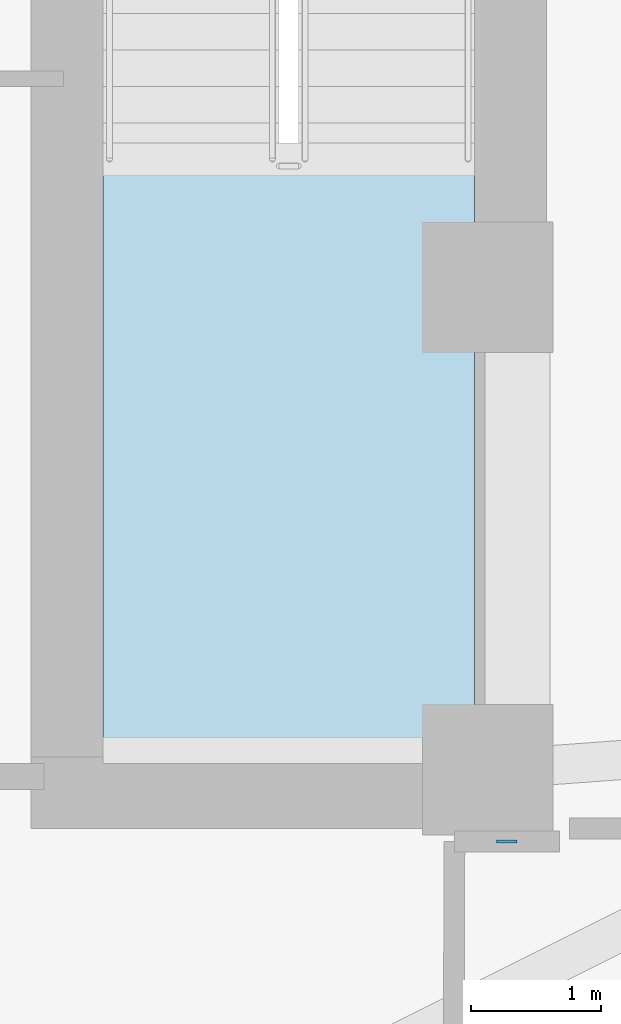
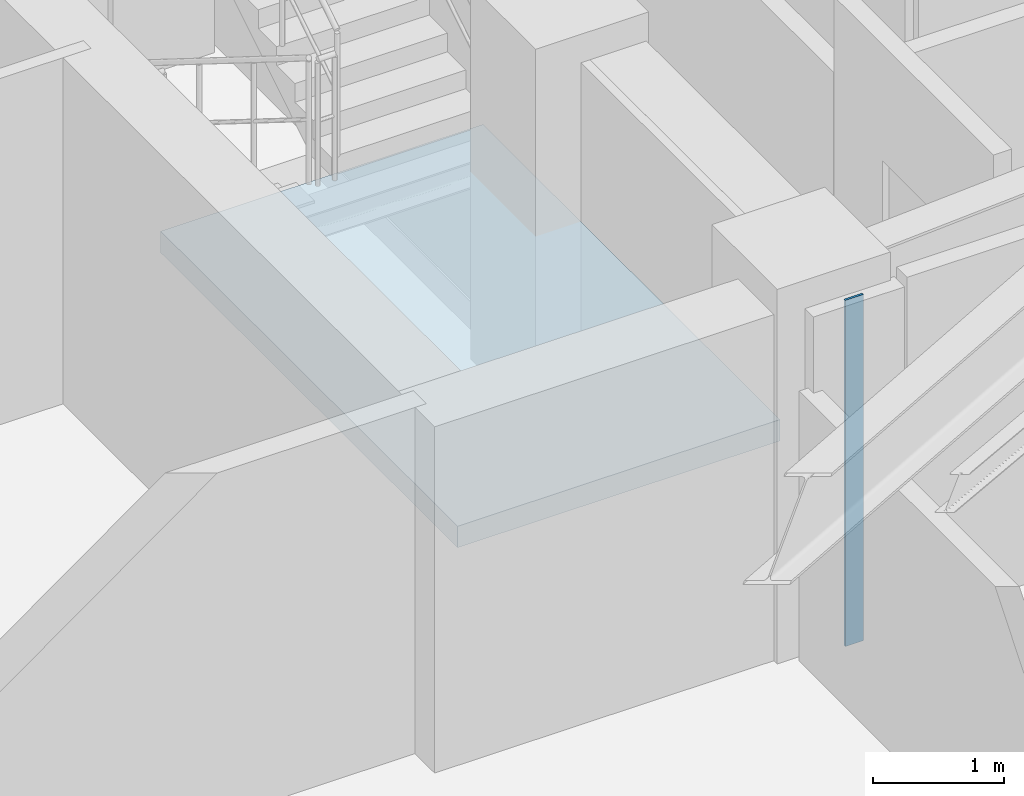
# One storey, part 3 of 14: 1 plate, 1 slab, 1 element without a shape of its own.
"""IFC4 building model written with IfcOpenShell, lengths in metres."""

import ifcopenshell
import ifcopenshell.guid

model = None  # the IFC model being written
_history = None  # IfcOwnerHistory: only IFC2X3 demands one
_inside = {}  # id of a spatial element -> (the spatial element, [elements in it])
_under = {}  # id of a project, library or spatial element -> (it, [spatial elements below it])
_declared = {}  # id of a project -> (the project, [libraries it declares])
_typed = {}  # id of a type object -> (the type object, [elements of that type])
_made_of = {}  # id of a material, layer set ... -> (it, [elements and type objects made of it])


def new_model(schema):
    """Start an empty IFC model of exactly this schema.

    Asked for "IFC4X3", IfcOpenShell would pick the latest addendum, in which some entities
    have other attributes; the version numbers below select the first issue.
    IFC2X3 requires an IfcOwnerHistory on every rooted entity: one is made here for all.
    """
    global model, _history
    if schema == "IFC4X3":
        model = ifcopenshell.file(schema_version=(4, 3, 0, 0))
    else:
        model = ifcopenshell.file(schema=schema)
    _inside.clear()
    _under.clear()
    _declared.clear()
    _typed.clear()
    _made_of.clear()
    _history = None
    if model.schema == "IFC2X3":
        org = make("IfcOrganization", Name="unknown")
        user = make(
            "IfcPersonAndOrganization",
            ThePerson=make("IfcPerson", FamilyName="unknown"),
            TheOrganization=org,
        )
        app = make(
            "IfcApplication",
            ApplicationDeveloper=org,
            Version="unknown",
            ApplicationFullName="unknown",
            ApplicationIdentifier="unknown",
        )
        _history = make(
            "IfcOwnerHistory",
            OwningUser=user,
            OwningApplication=app,
            ChangeAction="ADDED",
            CreationDate=0,
        )
    return model


def make(cls, **values):
    """One entity of the class cls with the attributes given. An attribute that is None is left unset."""
    return model.create_entity(
        cls, **{name: value for name, value in values.items() if value is not None}
    )


def rooted(cls, **values):
    """An entity with a GlobalId (a new one), such as an element, a storey or a relation."""
    return make(cls, GlobalId=ifcopenshell.guid.new(), OwnerHistory=_history, **values)


def si_unit(unit_type, name, prefix=None):
    """IfcSIUnit, for example si_unit("LENGTHUNIT", "METRE", prefix="MILLI")."""
    return make("IfcSIUnit", UnitType=unit_type, Prefix=prefix, Name=name)


def assignment(units):
    """IfcUnitAssignment: the units of a project."""
    return None if units is None else make("IfcUnitAssignment", Units=units)


def point(xyz):
    """IfcCartesianPoint."""
    return None if xyz is None else make("IfcCartesianPoint", Coordinates=xyz)


def direction(xyz):
    """IfcDirection."""
    return None if xyz is None else make("IfcDirection", DirectionRatios=xyz)


def frame(location, z_axis=None, x_axis=None):
    """IfcAxis2Placement3D, a coordinate frame: its origin and axes. An axis left out is left unset."""
    return make(
        "IfcAxis2Placement3D",
        Location=point(location),
        Axis=direction(z_axis),
        RefDirection=direction(x_axis),
    )


def frame_2d(location, x_axis=None):
    """IfcAxis2Placement2D, a coordinate frame in the plane: its origin and x axis."""
    return make(
        "IfcAxis2Placement2D", Location=point(location), RefDirection=direction(x_axis)
    )


def origin():
    """The frame at (0, 0, 0) with its axes left unset."""
    return frame((0.0, 0.0, 0.0))


def origin_2d():
    """The frame at (0, 0) in the plane with its x axis left unset."""
    return frame_2d((0.0, 0.0))


def place(relative_to, where):
    """IfcLocalPlacement: puts the frame where relative to a parent placement (None: the world)."""
    return make(
        "IfcLocalPlacement", PlacementRelTo=relative_to, RelativePlacement=where
    )


def context(
    kind, dimensions, precision=None, world=None, true_north=None, identifier=None
):
    """IfcGeometricRepresentationContext, for example the 3D "Model" context."""
    return make(
        "IfcGeometricRepresentationContext",
        ContextIdentifier=identifier,
        ContextType=kind,
        CoordinateSpaceDimension=dimensions,
        Precision=precision,
        WorldCoordinateSystem=world,
        TrueNorth=true_north,
    )


def subcontext(parent, identifier, kind, view, scale=None):
    """IfcGeometricRepresentationSubContext, for example "Body" below "Model"."""
    return make(
        "IfcGeometricRepresentationSubContext",
        ContextIdentifier=identifier,
        ContextType=kind,
        ParentContext=parent,
        TargetScale=scale,
        TargetView=view,
    )


def project(units=None, contexts=None):
    """IfcProject with its units and contexts."""
    return rooted(
        "IfcProject",
        Name="project",
        RepresentationContexts=contexts,
        UnitsInContext=assignment(units),
    )


def spatial(cls, under=None, at=None, **own):
    """A site, building, storey or space (cls), placed at a placement, below another one or the project."""
    s = rooted(cls, ObjectPlacement=at, **own)
    if under is not None:
        _under.setdefault(under.id(), (under, []))[1].append(s)
    return s


def polyline(points):
    """IfcPolyline through the points."""
    return make("IfcPolyline", Points=[point(p) for p in points])


def profile(cls, at=None, kind="AREA", **sizes):
    """A parametric profile (cls). Its sizes go by their IFC names, for example OverallWidth=200.0."""
    return make(cls, ProfileType=kind, Position=at, **sizes)


def rectangle(**sizes):
    """IfcRectangleProfileDef."""
    return profile("IfcRectangleProfileDef", **sizes)


def outline(outer, holes=None, kind="AREA"):
    """IfcArbitraryClosedProfileDef: a profile drawn as a closed curve; with holes, ...WithVoids."""
    if holes is None:
        return make("IfcArbitraryClosedProfileDef", ProfileType=kind, OuterCurve=outer)
    return make(
        "IfcArbitraryProfileDefWithVoids",
        ProfileType=kind,
        OuterCurve=outer,
        InnerCurves=holes,
    )


def extrude(swept, where, along, depth):
    """IfcExtrudedAreaSolid: the profile swept, set in the frame where, extruded along a direction by depth."""
    return make(
        "IfcExtrudedAreaSolid",
        SweptArea=swept,
        Position=where,
        ExtrudedDirection=direction(along),
        Depth=depth,
    )


def shape(context_of_items, identifier, shape_type, items):
    """IfcShapeRepresentation: the items that make up one representation, for example the "Body"."""
    return make(
        "IfcShapeRepresentation",
        ContextOfItems=context_of_items,
        RepresentationIdentifier=identifier,
        RepresentationType=shape_type,
        Items=items,
    )


def material(Name=None, Category=None):
    """IfcMaterial."""
    return make("IfcMaterial", Name=Name, Category=Category)


def layer(
    of_material, thickness, ventilated=None, Name=None, Category=None, Priority=None
):
    """IfcMaterialLayer: one layer of a wall or slab, of a material (None: an air gap)."""
    return make(
        "IfcMaterialLayer",
        Material=of_material,
        LayerThickness=thickness,
        IsVentilated=ventilated,
        Name=Name,
        Category=Category,
        Priority=Priority,
    )


def layer_set(layers, Name=None):
    """IfcMaterialLayerSet."""
    return make("IfcMaterialLayerSet", MaterialLayers=layers, LayerSetName=Name)


def made_of(thing, what):
    """Note that an element or type object is made of a material, layer set ...; save() writes the relation."""
    if what is not None:
        _made_of.setdefault(what.id(), (what, []))[1].append(thing)
    return thing


def type_object(cls, material=None, **own):
    """A type object (cls), such as IfcWallType, which elements share."""
    return made_of(rooted(cls, **own), material)


def element(
    cls,
    number,
    at=None,
    inside=None,
    cuts=None,
    type_object=None,
    material=None,
    context=None,
    identifier="Body",
    shape_type=None,
    held_by="IfcProductDefinitionShape",
    body=None,
    shapes=None,
    **own,
):
    """One element of the class cls, such as IfcWall. Its Tag is "e" and its number.

    at: its placement. inside: the storey or other place that contains it. cuts: it is an
    opening in that element (IfcRelVoidsElement). A single representation is given by context,
    identifier, shape_type and body (its items); several are given by shapes. held_by: the class
    of the entity that holds the representations. save() writes the other relations.
    """
    e = rooted(cls, Tag="e%d" % number, ObjectPlacement=at, **own)
    if body is not None:
        shapes = [shape(context, identifier, shape_type, body)]
    if shapes is not None:
        e.Representation = make(held_by, Representations=shapes)
    if inside is not None:
        _inside.setdefault(inside.id(), (inside, []))[1].append(e)
    if cuts is not None:
        rooted(
            "IfcRelVoidsElement", RelatingBuildingElement=cuts, RelatedOpeningElement=e
        )
    if type_object is not None:
        _typed.setdefault(type_object.id(), (type_object, []))[1].append(e)
    return made_of(e, material)


def aggregate(whole, parts):
    """IfcRelAggregates: a whole, such as a stair, and the parts it consists of."""
    return rooted("IfcRelAggregates", RelatingObject=whole, RelatedObjects=parts)


def save(model, path):
    """Write the relations noted so far, then the file.

    IfcRelAggregates (storeys below a building ...), IfcRelContainedInSpatialStructure (elements
    in a storey), IfcRelDefinesByType, IfcRelAssociatesMaterial and IfcRelDeclares: one each for
    every whole, place, type object, material and project.
    """
    for whole, parts in _under.values():
        aggregate(whole, parts)
    for where, things in _inside.values():
        rooted(
            "IfcRelContainedInSpatialStructure",
            RelatedElements=things,
            RelatingStructure=where,
        )
    for kind, things in _typed.values():
        rooted("IfcRelDefinesByType", RelatedObjects=things, RelatingType=kind)
    for what, things in _made_of.values():
        rooted("IfcRelAssociatesMaterial", RelatedObjects=things, RelatingMaterial=what)
    for by, libraries in _declared.values():
        rooted("IfcRelDeclares", RelatingContext=by, RelatedDefinitions=libraries)
    model.write(path)


model = new_model("IFC4")

# Units and contexts
model_context = context("Model", 3, precision=1e-05, world=origin(), true_north=direction((0.0, 1.0)))
body_context = subcontext(model_context, "Body", "Model", "MODEL_VIEW")
ifc_project = project(units=[si_unit("LENGTHUNIT", "METRE"), si_unit("AREAUNIT", "SQUARE_METRE"), si_unit("VOLUMEUNIT", "CUBIC_METRE"), si_unit("PLANEANGLEUNIT", "RADIAN"), si_unit("MASSUNIT", "GRAM", prefix="KILO")], contexts=[model_context])

# Site, building, storey
site_placement = place(None, origin())
site = spatial("IfcSite", under=ifc_project, at=site_placement, CompositionType="ELEMENT")
building_placement = place(site_placement, origin())
building = spatial("IfcBuilding", under=site, at=building_placement, Name="Miruveldt Soraemaru", CompositionType="ELEMENT")
storey_placement = place(building_placement, frame((0.0, 0.0, 128.39990234375)))
storey = spatial("IfcBuildingStorey", under=building, at=storey_placement, Name="L35", CompositionType="ELEMENT", Elevation=128.39990234375)

# Plate
ifc_material_1 = material(Name="Anodised aluminium EN AW-6063 T6", Category="aluminium")
ifc_layer_1 = layer(ifc_material_1, 0.02001953125, Name="Anodised aluminium EN AW-6063 T6", Category="aluminium")
ifc_layer_set_1 = layer_set([ifc_layer_1], Name="Anodised aluminium EN AW-6063 T6")
plate_type = type_object("IfcPlateType", Name="PLT-PART-TRIM", PredefinedType="SHEET", material=ifc_layer_set_1)
plate_placement = place(storey_placement, frame((52.6474609375, 34.949951171875, 0.0), z_axis=(0.0, 0.0, 1.0), x_axis=(1.0, 0.0, 0.0)))
element("IfcPlate", 1, at=plate_placement, inside=storey, type_object=plate_type, Name="L35 Partition Step Corner Trim Plate 092", PredefinedType="SHEET", context=body_context, shape_type="SweptSolid", body=[
    extrude(rectangle(XDim=0.159912109375, YDim=0.02001953125, at=origin_2d()), origin(), (0.0, 0.0, 1.0), 3.235107421875),
])

# Stair, slab
ifc_material_2 = material(Name="Concrete C40/50 (40 MPa)", Category="concrete")
stair_type = type_object("IfcStairType", Name="STAIR-DL-350", PredefinedType="HALF_TURN_STAIR", material=ifc_material_2)
stair_placement = place(storey_placement, origin())
stair = element("IfcStair", 2, at=stair_placement, inside=storey, type_object=stair_type, Name="L35 Protected Exit Stair ST-2", PredefinedType="HALF_TURN_STAIR")
ifc_layer_2 = layer(ifc_material_2, 0.199951171875, Name="Concrete C40/50 (40 MPa)", Category="concrete")
ifc_layer_set_2 = layer_set([ifc_layer_2], Name="Concrete C40/50 (40 MPa)")
slab_type = type_object("IfcSlabType", Name="SLAB-LAND-200", PredefinedType="LANDING", material=ifc_layer_set_2)
slab_placement = place(storey_placement, frame((0.0, 0.0, 1.550048828125)))
slab = element("IfcSlab", 3, at=slab_placement, type_object=slab_type, Name="ST-2 landing 1", PredefinedType="LANDING", context=body_context, shape_type="SweptSolid", body=[
    extrude(outline(polyline([(49.550048828125, 40.197998046875), (49.550048828125, 35.64990234375), (52.39990234375, 35.64990234375), (52.39990234375, 40.197998046875), (49.550048828125, 40.197998046875)])), origin(), (0.0, 0.0, 1.0), 0.199951171875),
])
aggregate(stair, [slab])

save(model, "model.ifc")
